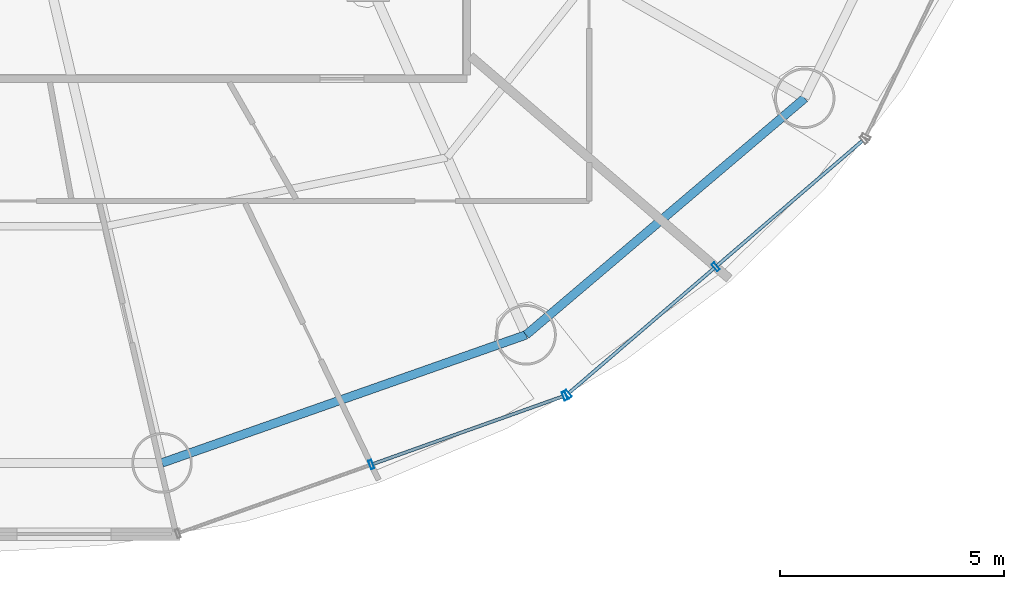
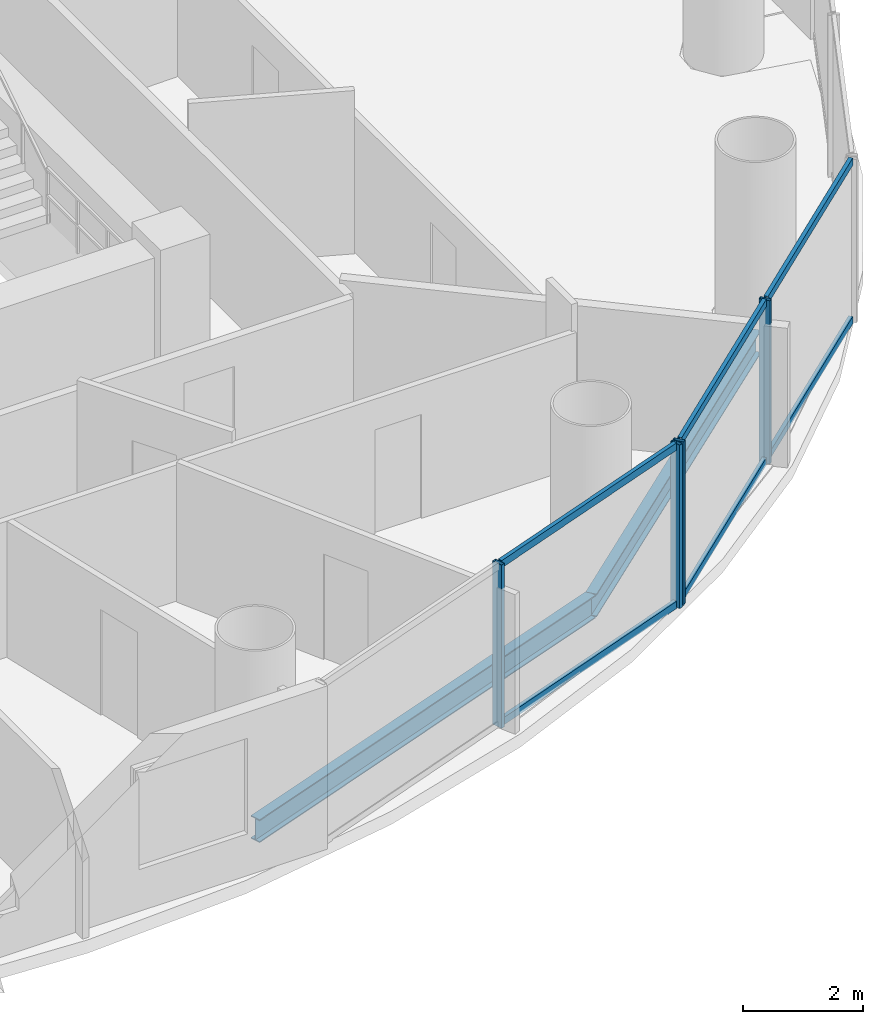
# One storey, part 9 of 27: 10 members, 2 beams, 2 elements without a shape of their own.
"""IFC4 building model written with IfcOpenShell, lengths in metres."""

import ifcopenshell
import ifcopenshell.guid

model = None  # the IFC model being written
_history = None  # IfcOwnerHistory: only IFC2X3 demands one
_inside = {}  # id of a spatial element -> (the spatial element, [elements in it])
_under = {}  # id of a project, library or spatial element -> (it, [spatial elements below it])
_declared = {}  # id of a project -> (the project, [libraries it declares])
_typed = {}  # id of a type object -> (the type object, [elements of that type])
_made_of = {}  # id of a material, layer set ... -> (it, [elements and type objects made of it])


def new_model(schema):
    """Start an empty IFC model of exactly this schema.

    Asked for "IFC4X3", IfcOpenShell would pick the latest addendum, in which some entities
    have other attributes; the version numbers below select the first issue.
    IFC2X3 requires an IfcOwnerHistory on every rooted entity: one is made here for all.
    """
    global model, _history
    if schema == "IFC4X3":
        model = ifcopenshell.file(schema_version=(4, 3, 0, 0))
    else:
        model = ifcopenshell.file(schema=schema)
    _inside.clear()
    _under.clear()
    _declared.clear()
    _typed.clear()
    _made_of.clear()
    _history = None
    if model.schema == "IFC2X3":
        org = make("IfcOrganization", Name="unknown")
        user = make(
            "IfcPersonAndOrganization",
            ThePerson=make("IfcPerson", FamilyName="unknown"),
            TheOrganization=org,
        )
        app = make(
            "IfcApplication",
            ApplicationDeveloper=org,
            Version="unknown",
            ApplicationFullName="unknown",
            ApplicationIdentifier="unknown",
        )
        _history = make(
            "IfcOwnerHistory",
            OwningUser=user,
            OwningApplication=app,
            ChangeAction="ADDED",
            CreationDate=0,
        )
    return model


def make(cls, **values):
    """One entity of the class cls with the attributes given. An attribute that is None is left unset."""
    return model.create_entity(
        cls, **{name: value for name, value in values.items() if value is not None}
    )


def rooted(cls, **values):
    """An entity with a GlobalId (a new one), such as an element, a storey or a relation."""
    return make(cls, GlobalId=ifcopenshell.guid.new(), OwnerHistory=_history, **values)


def si_unit(unit_type, name, prefix=None):
    """IfcSIUnit, for example si_unit("LENGTHUNIT", "METRE", prefix="MILLI")."""
    return make("IfcSIUnit", UnitType=unit_type, Prefix=prefix, Name=name)


def assignment(units):
    """IfcUnitAssignment: the units of a project."""
    return None if units is None else make("IfcUnitAssignment", Units=units)


def point(xyz):
    """IfcCartesianPoint."""
    return None if xyz is None else make("IfcCartesianPoint", Coordinates=xyz)


def direction(xyz):
    """IfcDirection."""
    return None if xyz is None else make("IfcDirection", DirectionRatios=xyz)


def frame(location, z_axis=None, x_axis=None):
    """IfcAxis2Placement3D, a coordinate frame: its origin and axes. An axis left out is left unset."""
    return make(
        "IfcAxis2Placement3D",
        Location=point(location),
        Axis=direction(z_axis),
        RefDirection=direction(x_axis),
    )


def frame_2d(location, x_axis=None):
    """IfcAxis2Placement2D, a coordinate frame in the plane: its origin and x axis."""
    return make(
        "IfcAxis2Placement2D", Location=point(location), RefDirection=direction(x_axis)
    )


def origin():
    """The frame at (0, 0, 0) with its axes left unset."""
    return frame((0.0, 0.0, 0.0))


def origin_2d():
    """The frame at (0, 0) in the plane with its x axis left unset."""
    return frame_2d((0.0, 0.0))


def place(relative_to, where):
    """IfcLocalPlacement: puts the frame where relative to a parent placement (None: the world)."""
    return make(
        "IfcLocalPlacement", PlacementRelTo=relative_to, RelativePlacement=where
    )


def context(
    kind, dimensions, precision=None, world=None, true_north=None, identifier=None
):
    """IfcGeometricRepresentationContext, for example the 3D "Model" context."""
    return make(
        "IfcGeometricRepresentationContext",
        ContextIdentifier=identifier,
        ContextType=kind,
        CoordinateSpaceDimension=dimensions,
        Precision=precision,
        WorldCoordinateSystem=world,
        TrueNorth=true_north,
    )


def subcontext(parent, identifier, kind, view, scale=None):
    """IfcGeometricRepresentationSubContext, for example "Body" below "Model"."""
    return make(
        "IfcGeometricRepresentationSubContext",
        ContextIdentifier=identifier,
        ContextType=kind,
        ParentContext=parent,
        TargetScale=scale,
        TargetView=view,
    )


def project(units=None, contexts=None):
    """IfcProject with its units and contexts."""
    return rooted(
        "IfcProject",
        Name="project",
        RepresentationContexts=contexts,
        UnitsInContext=assignment(units),
    )


def spatial(cls, under=None, at=None, **own):
    """A site, building, storey or space (cls), placed at a placement, below another one or the project."""
    s = rooted(cls, ObjectPlacement=at, **own)
    if under is not None:
        _under.setdefault(under.id(), (under, []))[1].append(s)
    return s


def profile(cls, at=None, kind="AREA", **sizes):
    """A parametric profile (cls). Its sizes go by their IFC names, for example OverallWidth=200.0."""
    return make(cls, ProfileType=kind, Position=at, **sizes)


def hollow_rectangle(**sizes):
    """IfcRectangleHollowProfileDef."""
    return profile("IfcRectangleHollowProfileDef", **sizes)


def i_section(**sizes):
    """IfcIShapeProfileDef."""
    return profile("IfcIShapeProfileDef", **sizes)


def extrude(swept, where, along, depth):
    """IfcExtrudedAreaSolid: the profile swept, set in the frame where, extruded along a direction by depth."""
    return make(
        "IfcExtrudedAreaSolid",
        SweptArea=swept,
        Position=where,
        ExtrudedDirection=direction(along),
        Depth=depth,
    )


def shape(context_of_items, identifier, shape_type, items):
    """IfcShapeRepresentation: the items that make up one representation, for example the "Body"."""
    return make(
        "IfcShapeRepresentation",
        ContextOfItems=context_of_items,
        RepresentationIdentifier=identifier,
        RepresentationType=shape_type,
        Items=items,
    )


def source(mapping_origin, context_of_items, identifier, shape_type, items):
    """IfcRepresentationMap: a shape defined once, which mapped items show again and again."""
    return make(
        "IfcRepresentationMap",
        MappingOrigin=mapping_origin,
        MappedRepresentation=shape(context_of_items, identifier, shape_type, items),
    )


def transform(
    local_origin,
    x_axis=None,
    y_axis=None,
    z_axis=None,
    scale=None,
    scale2=None,
    scale3=None,
    uniform=True,
):
    """IfcCartesianTransformationOperator3D, or its non-uniform kind. x_axis, y_axis, z_axis: its Axis1, 2, 3."""
    if uniform:
        return make(
            "IfcCartesianTransformationOperator3D",
            Axis1=direction(x_axis),
            Axis2=direction(y_axis),
            LocalOrigin=point(local_origin),
            Scale=scale,
            Axis3=direction(z_axis),
        )
    return make(
        "IfcCartesianTransformationOperator3DnonUniform",
        Axis1=direction(x_axis),
        Axis2=direction(y_axis),
        LocalOrigin=point(local_origin),
        Scale=scale,
        Axis3=direction(z_axis),
        Scale2=scale2,
        Scale3=scale3,
    )


def mapped(mapping_source, mapping_target):
    """IfcMappedItem: shows the shape of a source again, moved by a transform."""
    return make(
        "IfcMappedItem", MappingSource=mapping_source, MappingTarget=mapping_target
    )


def material(Name=None, Category=None):
    """IfcMaterial."""
    return make("IfcMaterial", Name=Name, Category=Category)


def material_profile(
    of_material, cross_section, Name=None, Category=None, Priority=None
):
    """IfcMaterialProfile: a cross section and its material."""
    return make(
        "IfcMaterialProfile",
        Name=Name,
        Material=of_material,
        Profile=cross_section,
        Priority=Priority,
        Category=Category,
    )


def profile_set(profiles, Name=None, composite=None):
    """IfcMaterialProfileSet."""
    return make(
        "IfcMaterialProfileSet",
        Name=Name,
        MaterialProfiles=profiles,
        CompositeProfile=composite,
    )


def made_of(thing, what):
    """Note that an element or type object is made of a material, layer set ...; save() writes the relation."""
    if what is not None:
        _made_of.setdefault(what.id(), (what, []))[1].append(thing)
    return thing


def type_object(cls, material=None, **own):
    """A type object (cls), such as IfcWallType, which elements share."""
    return made_of(rooted(cls, **own), material)


def element(
    cls,
    number,
    at=None,
    inside=None,
    cuts=None,
    type_object=None,
    material=None,
    context=None,
    identifier="Body",
    shape_type=None,
    held_by="IfcProductDefinitionShape",
    body=None,
    shapes=None,
    **own,
):
    """One element of the class cls, such as IfcWall. Its Tag is "e" and its number.

    at: its placement. inside: the storey or other place that contains it. cuts: it is an
    opening in that element (IfcRelVoidsElement). A single representation is given by context,
    identifier, shape_type and body (its items); several are given by shapes. held_by: the class
    of the entity that holds the representations. save() writes the other relations.
    """
    e = rooted(cls, Tag="e%d" % number, ObjectPlacement=at, **own)
    if body is not None:
        shapes = [shape(context, identifier, shape_type, body)]
    if shapes is not None:
        e.Representation = make(held_by, Representations=shapes)
    if inside is not None:
        _inside.setdefault(inside.id(), (inside, []))[1].append(e)
    if cuts is not None:
        rooted(
            "IfcRelVoidsElement", RelatingBuildingElement=cuts, RelatedOpeningElement=e
        )
    if type_object is not None:
        _typed.setdefault(type_object.id(), (type_object, []))[1].append(e)
    return made_of(e, material)


def aggregate(whole, parts):
    """IfcRelAggregates: a whole, such as a stair, and the parts it consists of."""
    return rooted("IfcRelAggregates", RelatingObject=whole, RelatedObjects=parts)


def save(model, path):
    """Write the relations noted so far, then the file.

    IfcRelAggregates (storeys below a building ...), IfcRelContainedInSpatialStructure (elements
    in a storey), IfcRelDefinesByType, IfcRelAssociatesMaterial and IfcRelDeclares: one each for
    every whole, place, type object, material and project.
    """
    for whole, parts in _under.values():
        aggregate(whole, parts)
    for where, things in _inside.values():
        rooted(
            "IfcRelContainedInSpatialStructure",
            RelatedElements=things,
            RelatingStructure=where,
        )
    for kind, things in _typed.values():
        rooted("IfcRelDefinesByType", RelatedObjects=things, RelatingType=kind)
    for what, things in _made_of.values():
        rooted("IfcRelAssociatesMaterial", RelatedObjects=things, RelatingMaterial=what)
    for by, libraries in _declared.values():
        rooted("IfcRelDeclares", RelatingContext=by, RelatedDefinitions=libraries)
    model.write(path)


model = new_model("IFC4")

# Units and contexts
model_context = context("Model", 3, precision=1e-05, world=origin(), true_north=direction((-0.2419218956, 0.970295726276)))
body_context = subcontext(model_context, "Body", "Model", "MODEL_VIEW")
ifc_project = project(units=[si_unit("LENGTHUNIT", "METRE"), si_unit("AREAUNIT", "SQUARE_METRE"), si_unit("VOLUMEUNIT", "CUBIC_METRE"), si_unit("PLANEANGLEUNIT", "RADIAN"), si_unit("MASSUNIT", "GRAM", prefix="KILO")], contexts=[model_context])

# Site, building, storey
site_placement = place(None, origin())
site = spatial("IfcSite", under=ifc_project, at=site_placement, CompositionType="ELEMENT")
building_placement = place(site_placement, origin())
building = spatial("IfcBuilding", under=site, at=building_placement, Name="Cobrevalo Terracotta Tower", CompositionType="ELEMENT")
storey_placement = place(building_placement, frame((0.0, 0.0, 149.800048828125)))
storey = spatial("IfcBuildingStorey", under=building, at=storey_placement, Name="L39", CompositionType="ELEMENT", Elevation=149.800048828125)

# Beams
ifc_material_1 = material(Name="Steel S355", Category="steel")
ifc_material_profile_1 = material_profile(ifc_material_1, i_section(OverallWidth=0.194091796875, OverallDepth=0.468994140625, WebThickness=0.011474609375, FlangeThickness=0.0205078125, at=origin_2d()), Name="W 460x106")
ifc_profile_set_1 = profile_set([ifc_material_profile_1], Name="Steel S355")
beam_type = type_object("IfcBeamType", Name="Structural Spandrel W 460x106 (Steel S355)", PredefinedType="SPANDREL", material=ifc_profile_set_1)
beam_1_placement = place(storey_placement, frame((42.399169921875, 8.01806640625, -0.504638671875), z_axis=(0.943341298492, 0.331824041565, 0.0), x_axis=(-0.331824041565, 0.943341298492, 0.0)))
element("IfcBeam", 1, at=beam_1_placement, inside=storey, type_object=beam_type, Name="L39 perimeter ring spandrel 13", PredefinedType="SPANDREL", context=body_context, shape_type="SweptSolid", body=[
    extrude(i_section(OverallWidth=0.194091796875, OverallDepth=0.468994140625, WebThickness=0.011474609375, FlangeThickness=0.0205078125, at=origin_2d()), origin(), (0.0, 0.0, 1.0), 8.6171875),
])
beam_2_placement = place(storey_placement, frame((50.528076171875, 10.87744140625, -0.504638671875), z_axis=(0.762240337798, 0.647294112003, 0.0), x_axis=(-0.647294112003, 0.762240337798, 0.0)))
element("IfcBeam", 2, at=beam_2_placement, inside=storey, type_object=beam_type, Name="L39 perimeter ring spandrel 14", PredefinedType="SPANDREL", context=body_context, shape_type="SweptSolid", body=[
    extrude(i_section(OverallWidth=0.194091796875, OverallDepth=0.468994140625, WebThickness=0.011474609375, FlangeThickness=0.0205078125, at=origin_2d()), origin(), (0.0, 0.0, 1.0), 8.162353515625),
])

# Curtain wall, members
ifc_material_2 = material(Name="Anodized aluminium", Category="aluminium")
curtain_wall_type = type_object("IfcCurtainWallType", Name="Mid-tower high-wind unitised curtain wall CW-U2", PredefinedType="NOTDEFINED", material=ifc_material_2)
curtain_wall_1_placement = place(storey_placement, origin())
curtain_wall_1 = element("IfcCurtainWall", 3, at=curtain_wall_1_placement, inside=storey, type_object=curtain_wall_type, Name="L39 curtain wall CW-L39-S14", PredefinedType="NOTDEFINED")
ifc_material_profile_2 = material_profile(ifc_material_2, hollow_rectangle(XDim=0.074951171875, YDim=0.14990234375, WallThickness=0.00439453125, at=origin_2d()), Name="CWT 75x150")
ifc_profile_set_2 = profile_set([ifc_material_profile_2], Name="Anodized aluminium")
member_type_1 = type_object("IfcMemberType", Name="Tower unitised aluminium transom 75x150", PredefinedType="USERDEFINED", material=ifc_profile_set_2)
shared_shape_1 = source(origin(), body_context, "Body", "SweptSolid", [
    extrude(hollow_rectangle(XDim=0.074951171875, YDim=0.14990234375, WallThickness=0.00439453125, at=origin_2d()), origin(), (0.0, 0.0, 1.0), 4.276123046875),
])
member_1_placement = place(storey_placement, frame((51.48876953125, 9.58251953125, 0.050048828125), z_axis=(0.758417719247, 0.651768795764, 0.0), x_axis=(-0.651768795764, 0.758417719247, 0.0)))
member_1 = element("IfcMember", 4, at=member_1_placement, type_object=member_type_1, Name="CW-L39-S14 transom B01-T1", ObjectType="TRANSOM", PredefinedType="USERDEFINED", context=body_context, shape_type="MappedRepresentation", body=[
    mapped(shared_shape_1, transform((0.0, 0.0, 0.0), scale=1.0)),
])
member_2_placement = place(storey_placement, frame((51.48876953125, 9.58251953125, 3.280029296875), z_axis=(0.758417719247, 0.651768795764, 0.0), x_axis=(-0.651768795764, 0.758417719247, 0.0)))
member_2 = element("IfcMember", 5, at=member_2_placement, type_object=member_type_1, Name="CW-L39-S14 transom B01-T2", ObjectType="TRANSOM", PredefinedType="USERDEFINED", context=body_context, shape_type="MappedRepresentation", body=[
    mapped(shared_shape_1, transform((0.0, 0.0, 0.0), scale=1.0)),
])
member_3_placement = place(storey_placement, frame((54.792724609375, 12.421630859375, 0.050048828125), z_axis=(0.758417719247, 0.651768795764, 0.0), x_axis=(-0.651768795764, 0.758417719247, 0.0)))
member_3 = element("IfcMember", 6, at=member_3_placement, type_object=member_type_1, Name="CW-L39-S14 transom B02-T1", ObjectType="TRANSOM", PredefinedType="USERDEFINED", context=body_context, shape_type="MappedRepresentation", body=[
    mapped(shared_shape_1, transform((0.0, 0.0, 0.0), scale=1.0)),
])
member_4_placement = place(storey_placement, frame((54.792724609375, 12.421630859375, 3.280029296875), z_axis=(0.758417719247, 0.651768795764, 0.0), x_axis=(-0.651768795764, 0.758417719247, 0.0)))
member_4 = element("IfcMember", 7, at=member_4_placement, type_object=member_type_1, Name="CW-L39-S14 transom B02-T2", ObjectType="TRANSOM", PredefinedType="USERDEFINED", context=body_context, shape_type="MappedRepresentation", body=[
    mapped(shared_shape_1, transform((0.0, 0.0, 0.0), scale=1.0)),
])

curtain_wall_2_placement = place(storey_placement, origin())
curtain_wall_2 = element("IfcCurtainWall", 8, at=curtain_wall_2_placement, inside=storey, type_object=curtain_wall_type, Name="L39 curtain wall CW-L39-S13", PredefinedType="NOTDEFINED")
ifc_material_profile_3 = material_profile(ifc_material_2, hollow_rectangle(XDim=0.074951171875, YDim=0.199951171875, WallThickness=0.0048828125, at=origin_2d()), Name="CWM 75x200")
ifc_profile_set_3 = profile_set([ifc_material_profile_3], Name="Anodized aluminium")
member_type_2 = type_object("IfcMemberType", Name="Lower/mid tower unitised mullion 75x200", PredefinedType="MULLION", material=ifc_profile_set_3)
shared_shape_2 = source(origin(), body_context, "Body", "SweptSolid", [
    extrude(hollow_rectangle(XDim=0.074951171875, YDim=0.199951171875, WallThickness=0.0048828125, at=origin_2d()), origin(), (0.0, 0.0, 1.0), 3.329833984375),
])
member_5_placement = place(storey_placement, frame((47.07177734375, 7.979736328125, 0.0), z_axis=(0.0, 0.0, 1.0), x_axis=(0.942098428897, 0.335336473217, 0.0)))
member_5 = element("IfcMember", 9, at=member_5_placement, type_object=member_type_2, Name="CW-L39-S13 vertical mullion 02", PredefinedType="MULLION", context=body_context, shape_type="MappedRepresentation", body=[
    mapped(shared_shape_2, transform((0.0, 0.0, 0.0), scale=1.0)),
])
member_6_placement = place(storey_placement, frame((51.390380859375, 9.516845703125, 0.0), z_axis=(0.0, 0.0, 1.0), x_axis=(0.942098428897, 0.335336473217, 0.0)))
member_6 = element("IfcMember", 10, at=member_6_placement, type_object=member_type_2, Name="CW-L39-S13 vertical mullion 03", PredefinedType="MULLION", context=body_context, shape_type="MappedRepresentation", body=[
    mapped(shared_shape_2, transform((0.0, 0.0, 0.0), scale=1.0)),
])

# Member
member_7_placement = place(storey_placement, frame((51.45849609375, 9.556396484375, 0.0), z_axis=(0.0, 0.0, 1.0), x_axis=(0.758441546142, 0.65174106905, 0.0)))
member_7 = element("IfcMember", 11, at=member_7_placement, type_object=member_type_2, Name="CW-L39-S14 vertical mullion 01", PredefinedType="MULLION", context=body_context, shape_type="MappedRepresentation", body=[
    mapped(shared_shape_2, transform((0.0, 0.0, 0.0), scale=1.0)),
])

member_8_placement = place(storey_placement, frame((54.762451171875, 12.3955078125, 0.0), z_axis=(0.0, 0.0, 1.0), x_axis=(0.758441546142, 0.65174106905, 0.0)))
member_8 = element("IfcMember", 12, at=member_8_placement, type_object=member_type_2, Name="CW-L39-S14 vertical mullion 02", PredefinedType="MULLION", context=body_context, shape_type="MappedRepresentation", body=[
    mapped(shared_shape_2, transform((0.0, 0.0, 0.0), scale=1.0)),
])

aggregate(curtain_wall_1, [member_7, member_8, member_1, member_2, member_3, member_4])

shared_shape_3 = source(origin(), body_context, "Body", "SweptSolid", [
    extrude(hollow_rectangle(XDim=0.074951171875, YDim=0.14990234375, WallThickness=0.00439453125, at=origin_2d()), origin(), (0.0, 0.0, 1.0), 4.504150390625),
])
member_9_placement = place(storey_placement, frame((47.109375, 7.9931640625, 0.050048828125), z_axis=(0.942093344241, 0.335350757771, 0.0), x_axis=(-0.335350757771, 0.942093344241, 0.0)))
member_9 = element("IfcMember", 13, at=member_9_placement, type_object=member_type_1, Name="CW-L39-S13 transom B02-T1", ObjectType="TRANSOM", PredefinedType="USERDEFINED", context=body_context, shape_type="MappedRepresentation", body=[
    mapped(shared_shape_3, transform((0.0, 0.0, 0.0), scale=1.0)),
])

member_10_placement = place(storey_placement, frame((47.109375, 7.9931640625, 3.280029296875), z_axis=(0.942093344241, 0.335350757771, 0.0), x_axis=(-0.335350757771, 0.942093344241, 0.0)))
member_10 = element("IfcMember", 14, at=member_10_placement, type_object=member_type_1, Name="CW-L39-S13 transom B02-T2", ObjectType="TRANSOM", PredefinedType="USERDEFINED", context=body_context, shape_type="MappedRepresentation", body=[
    mapped(shared_shape_3, transform((0.0, 0.0, 0.0), scale=1.0)),
])

aggregate(curtain_wall_2, [member_5, member_6, member_9, member_10])

save(model, "model.ifc")
